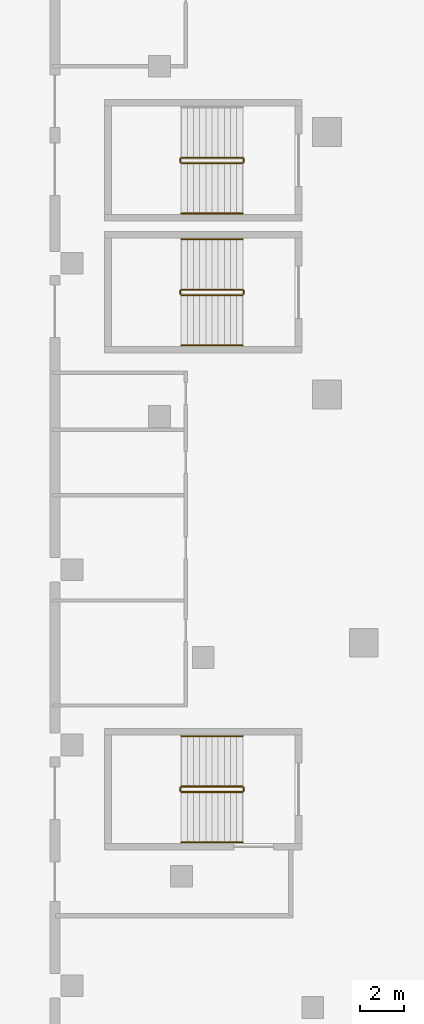
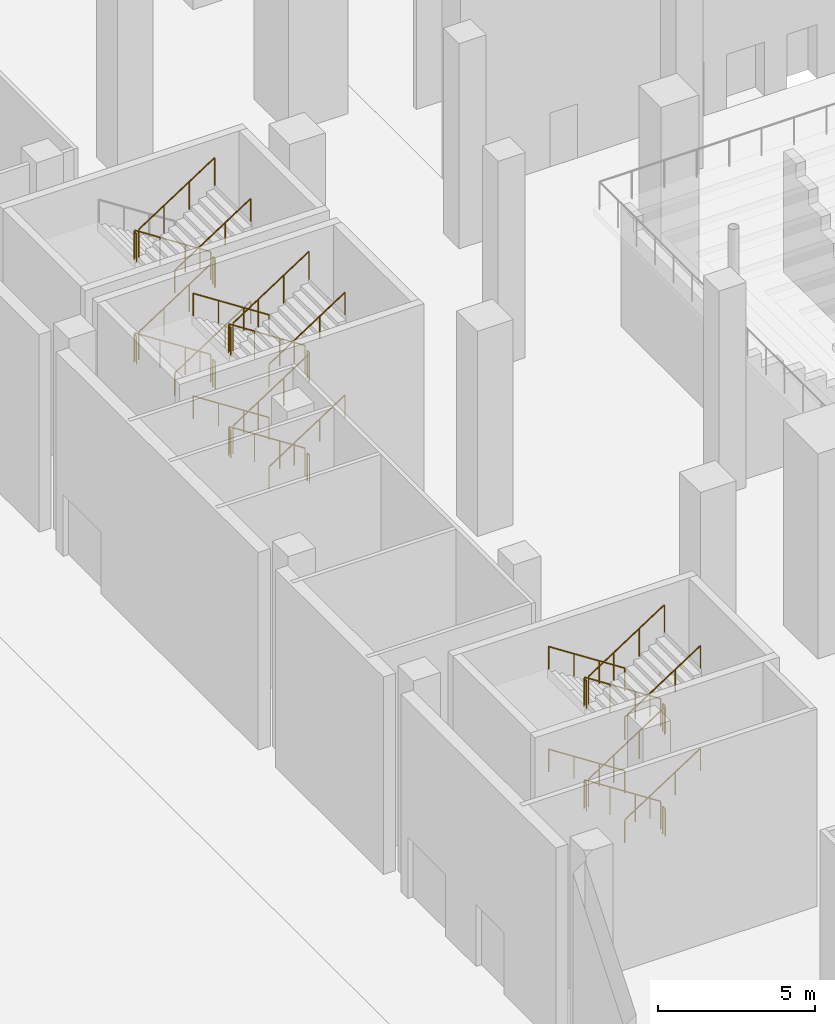
# One storey, part 34 of 41: 34 railings.
"""IFC4 building model written with IfcOpenShell, lengths in metres."""

from ifc_helpers import new_model, si_unit, direction, frame, origin, origin_2d, place, context, subcontext, project, spatial, circle, extrude, material, type_object, element, save


model = new_model("IFC4")

# Units and contexts
model_context = context("Model", 3, precision=1e-05, world=origin(), true_north=direction((0.0, 1.0)))
body_context = subcontext(model_context, "Body", "Model", "MODEL_VIEW")
ifc_project = project(units=[si_unit("LENGTHUNIT", "METRE"), si_unit("AREAUNIT", "SQUARE_METRE"), si_unit("VOLUMEUNIT", "CUBIC_METRE"), si_unit("PLANEANGLEUNIT", "RADIAN"), si_unit("MASSUNIT", "GRAM", prefix="KILO")], contexts=[model_context])

# Site, building, storey
site_placement = place(None, origin())
site = spatial("IfcSite", under=ifc_project, at=site_placement, CompositionType="ELEMENT")
building_placement = place(site_placement, origin())
building = spatial("IfcBuilding", under=site, at=building_placement, Name="Wharfspan Tower", CompositionType="ELEMENT")
storey_placement = place(building_placement, origin())
storey = spatial("IfcBuildingStorey", under=building, at=storey_placement, Name="L00", CompositionType="ELEMENT", Elevation=0.0)

# Railings
ifc_material = material(Name="Steel S355J2", Category="steel")
railing_type_1 = type_object("IfcRailingType", Name="Podium guard 1100", PredefinedType="GUARDRAIL", material=ifc_material)
railing_1_placement = place(storey_placement, frame((-3.199951, 0.100098, 0.181885)))
element("IfcRailing", 1, at=railing_1_placement, inside=storey, type_object=railing_type_1, Name="L00 AS7 stair guard 1", PredefinedType="GUARDRAIL", context=body_context, shape_type="SweptSolid", body=[
    extrude(circle(Radius=0.023926, at=origin_2d()), frame((0.0, 0.0, 1.076172), z_axis=(-0.838706, 0.0, 0.544585), x_axis=(0.0, -1.0, 0.0)), (0.0, 0.0, 1.0), 3.338623),
    extrude(circle(Radius=0.020996, at=origin_2d()), origin(), (0.0, 0.0, 1.0), 1.052002),
    extrude(circle(Radius=0.020996, at=origin_2d()), frame((-0.93335, 0.0, 0.605957)), (0.0, 0.0, 1.0), 1.052002),
    extrude(circle(Radius=0.020996, at=origin_2d()), frame((-1.866699, 0.0, 1.212158)), (0.0, 0.0, 1.0), 1.052002),
    extrude(circle(Radius=0.020996, at=origin_2d()), frame((-2.800049, 0.0, 1.818115)), (0.0, 0.0, 1.0), 1.052002),
])
railing_2_placement = place(storey_placement, frame((-6.050049, 0.050049, 2.0)))
element("IfcRailing", 2, at=railing_2_placement, inside=storey, type_object=railing_type_1, Name="L00 AS7 stair guard 2", PredefinedType="GUARDRAIL", context=body_context, shape_type="SweptSolid", body=[
    extrude(circle(Radius=0.023926, at=origin_2d()), frame((0.0, 0.0, 1.076172), z_axis=(0.0, -1.0, 0.0), x_axis=(1.0, 0.0, 0.0)), (0.0, 0.0, 1.0), 0.150146),
    extrude(circle(Radius=0.020996, at=origin_2d()), origin(), (0.0, 0.0, 1.0), 1.052002),
    extrude(circle(Radius=0.020996, at=origin_2d()), frame((0.0, -0.150146, 0.0)), (0.0, 0.0, 1.0), 1.052002),
])
railing_3_placement = place(storey_placement, frame((-6.0, -0.149902, 2.181885)))
element("IfcRailing", 3, at=railing_3_placement, inside=storey, type_object=railing_type_1, Name="L00 AS7 stair guard 3", PredefinedType="GUARDRAIL", context=body_context, shape_type="SweptSolid", body=[
    extrude(circle(Radius=0.023926, at=origin_2d()), frame((0.0, 0.0, 1.076172), z_axis=(0.838706, 0.0, 0.544585), x_axis=(0.0, 1.0, 0.0)), (0.0, 0.0, 1.0), 3.338623),
    extrude(circle(Radius=0.020996, at=origin_2d()), origin(), (0.0, 0.0, 1.0), 1.052002),
    extrude(circle(Radius=0.020996, at=origin_2d()), frame((0.93335, 0.0, 0.605957)), (0.0, 0.0, 1.0), 1.052002),
    extrude(circle(Radius=0.020996, at=origin_2d()), frame((1.866699, 0.0, 1.212158)), (0.0, 0.0, 1.0), 1.052002),
    extrude(circle(Radius=0.020996, at=origin_2d()), frame((2.800049, 0.0, 1.818115)), (0.0, 0.0, 1.0), 1.052002),
])
railing_4_placement = place(storey_placement, frame((-3.149902, 0.050049, 4.0)))
element("IfcRailing", 4, at=railing_4_placement, inside=storey, type_object=railing_type_1, Name="L00 AS7 stair guard 4", PredefinedType="GUARDRAIL", context=body_context, shape_type="SweptSolid", body=[
    extrude(circle(Radius=0.023926, at=origin_2d()), frame((0.0, 0.0, 1.076172), z_axis=(0.0, -1.0, 0.0), x_axis=(1.0, 0.0, 0.0)), (0.0, 0.0, 1.0), 0.150146),
    extrude(circle(Radius=0.020996, at=origin_2d()), origin(), (0.0, 0.0, 1.0), 1.052002),
    extrude(circle(Radius=0.020996, at=origin_2d()), frame((0.0, -0.150146, 0.0)), (0.0, 0.0, 1.0), 1.052002),
])
railing_5_placement = place(storey_placement, frame((-3.199951, 0.100098, 4.181885)))
element("IfcRailing", 5, at=railing_5_placement, inside=storey, type_object=railing_type_1, Name="L00 AS7 stair guard 5", PredefinedType="GUARDRAIL", context=body_context, shape_type="SweptSolid", body=[
    extrude(circle(Radius=0.023926, at=origin_2d()), frame((0.0, 0.0, 1.076172), z_axis=(-0.838706, 0.0, 0.544585), x_axis=(0.0, -1.0, 0.0)), (0.0, 0.0, 1.0), 3.338623),
    extrude(circle(Radius=0.020996, at=origin_2d()), origin(), (0.0, 0.0, 1.0), 1.052002),
    extrude(circle(Radius=0.020996, at=origin_2d()), frame((-0.93335, 0.0, 0.605957)), (0.0, 0.0, 1.0), 1.052002),
    extrude(circle(Radius=0.020996, at=origin_2d()), frame((-1.866699, 0.0, 1.212158)), (0.0, 0.0, 1.0), 1.052002),
    extrude(circle(Radius=0.020996, at=origin_2d()), frame((-2.800049, 0.0, 1.818115)), (0.0, 0.0, 1.0), 1.052002),
])
railing_6_placement = place(storey_placement, frame((-6.050049, 0.050049, 6.0)))
element("IfcRailing", 6, at=railing_6_placement, inside=storey, type_object=railing_type_1, Name="L00 AS7 stair guard 6", PredefinedType="GUARDRAIL", context=body_context, shape_type="SweptSolid", body=[
    extrude(circle(Radius=0.023926, at=origin_2d()), frame((0.0, 0.0, 1.076172), z_axis=(0.0, -1.0, 0.0), x_axis=(1.0, 0.0, 0.0)), (0.0, 0.0, 1.0), 0.150146),
    extrude(circle(Radius=0.020996, at=origin_2d()), origin(), (0.0, 0.0, 1.0), 1.052002),
    extrude(circle(Radius=0.020996, at=origin_2d()), frame((0.0, -0.150146, 0.0)), (0.0, 0.0, 1.0), 1.052002),
])
railing_7_placement = place(storey_placement, frame((-6.0, -0.149902, 6.181885)))
element("IfcRailing", 7, at=railing_7_placement, inside=storey, type_object=railing_type_1, Name="L00 AS7 stair guard 7", PredefinedType="GUARDRAIL", context=body_context, shape_type="SweptSolid", body=[
    extrude(circle(Radius=0.023926, at=origin_2d()), frame((0.0, 0.0, 1.076172), z_axis=(0.838706, 0.0, 0.544585), x_axis=(0.0, 1.0, 0.0)), (0.0, 0.0, 1.0), 3.338623),
    extrude(circle(Radius=0.020996, at=origin_2d()), origin(), (0.0, 0.0, 1.0), 1.052002),
    extrude(circle(Radius=0.020996, at=origin_2d()), frame((0.93335, 0.0, 0.605957)), (0.0, 0.0, 1.0), 1.052002),
    extrude(circle(Radius=0.020996, at=origin_2d()), frame((1.866699, 0.0, 1.212158)), (0.0, 0.0, 1.0), 1.052002),
    extrude(circle(Radius=0.020996, at=origin_2d()), frame((2.800049, 0.0, 1.818115)), (0.0, 0.0, 1.0), 1.052002),
])
railing_8_placement = place(storey_placement, frame((-3.149902, 0.050049, 0.0)))
element("IfcRailing", 8, at=railing_8_placement, inside=storey, type_object=railing_type_1, Name="L00 AS7 stair guard 8", PredefinedType="GUARDRAIL", context=body_context, shape_type="SweptSolid", body=[
    extrude(circle(Radius=0.023926, at=origin_2d()), frame((0.0, 0.0, 1.076172), z_axis=(0.0, -1.0, 0.0), x_axis=(1.0, 0.0, 0.0)), (0.0, 0.0, 1.0), 0.150146),
    extrude(circle(Radius=0.020996, at=origin_2d()), origin(), (0.0, 0.0, 1.0), 1.052002),
    extrude(circle(Radius=0.020996, at=origin_2d()), frame((0.0, -0.150146, 0.0)), (0.0, 0.0, 1.0), 1.052002),
])
railing_9_placement = place(storey_placement, frame((-3.199951, 22.800049, 0.181885)))
element("IfcRailing", 9, at=railing_9_placement, inside=storey, type_object=railing_type_1, Name="L00 AS3 stair guard 1", PredefinedType="GUARDRAIL", context=body_context, shape_type="SweptSolid", body=[
    extrude(circle(Radius=0.023926, at=origin_2d()), frame((0.0, 0.0, 1.076172), z_axis=(-0.838706, 0.0, 0.544585), x_axis=(0.0, -1.0, 0.0)), (0.0, 0.0, 1.0), 3.338623),
    extrude(circle(Radius=0.020996, at=origin_2d()), origin(), (0.0, 0.0, 1.0), 1.052002),
    extrude(circle(Radius=0.020996, at=origin_2d()), frame((-0.93335, 0.0, 0.605957)), (0.0, 0.0, 1.0), 1.052002),
    extrude(circle(Radius=0.020996, at=origin_2d()), frame((-1.866699, 0.0, 1.212158)), (0.0, 0.0, 1.0), 1.052002),
    extrude(circle(Radius=0.020996, at=origin_2d()), frame((-2.800049, 0.0, 1.818115)), (0.0, 0.0, 1.0), 1.052002),
])
railing_10_placement = place(storey_placement, frame((-6.050049, 22.75, 2.0)))
element("IfcRailing", 10, at=railing_10_placement, inside=storey, type_object=railing_type_1, Name="L00 AS3 stair guard 2", PredefinedType="GUARDRAIL", context=body_context, shape_type="SweptSolid", body=[
    extrude(circle(Radius=0.023926, at=origin_2d()), frame((0.0, 0.0, 1.076172), z_axis=(0.0, -1.0, 0.0), x_axis=(1.0, 0.0, 0.0)), (0.0, 0.0, 1.0), 0.149902),
    extrude(circle(Radius=0.020996, at=origin_2d()), origin(), (0.0, 0.0, 1.0), 1.052002),
    extrude(circle(Radius=0.020996, at=origin_2d()), frame((0.0, -0.149902, 0.0)), (0.0, 0.0, 1.0), 1.052002),
])
railing_11_placement = place(storey_placement, frame((-6.0, 22.550049, 2.181885)))
element("IfcRailing", 11, at=railing_11_placement, inside=storey, type_object=railing_type_1, Name="L00 AS3 stair guard 3", PredefinedType="GUARDRAIL", context=body_context, shape_type="SweptSolid", body=[
    extrude(circle(Radius=0.023926, at=origin_2d()), frame((0.0, 0.0, 1.076172), z_axis=(0.838706, 0.0, 0.544585), x_axis=(0.0, 1.0, 0.0)), (0.0, 0.0, 1.0), 3.338623),
    extrude(circle(Radius=0.020996, at=origin_2d()), origin(), (0.0, 0.0, 1.0), 1.052002),
    extrude(circle(Radius=0.020996, at=origin_2d()), frame((0.93335, 0.0, 0.605957)), (0.0, 0.0, 1.0), 1.052002),
    extrude(circle(Radius=0.020996, at=origin_2d()), frame((1.866699, 0.0, 1.212158)), (0.0, 0.0, 1.0), 1.052002),
    extrude(circle(Radius=0.020996, at=origin_2d()), frame((2.800049, 0.0, 1.818115)), (0.0, 0.0, 1.0), 1.052002),
])
railing_12_placement = place(storey_placement, frame((-3.149902, 22.75, 4.0)))
element("IfcRailing", 12, at=railing_12_placement, inside=storey, type_object=railing_type_1, Name="L00 AS3 stair guard 4", PredefinedType="GUARDRAIL", context=body_context, shape_type="SweptSolid", body=[
    extrude(circle(Radius=0.023926, at=origin_2d()), frame((0.0, 0.0, 1.076172), z_axis=(0.0, -1.0, 0.0), x_axis=(1.0, 0.0, 0.0)), (0.0, 0.0, 1.0), 0.149902),
    extrude(circle(Radius=0.020996, at=origin_2d()), origin(), (0.0, 0.0, 1.0), 1.052002),
    extrude(circle(Radius=0.020996, at=origin_2d()), frame((0.0, -0.149902, 0.0)), (0.0, 0.0, 1.0), 1.052002),
])
railing_13_placement = place(storey_placement, frame((-3.199951, 22.800049, 4.181885)))
element("IfcRailing", 13, at=railing_13_placement, inside=storey, type_object=railing_type_1, Name="L00 AS3 stair guard 5", PredefinedType="GUARDRAIL", context=body_context, shape_type="SweptSolid", body=[
    extrude(circle(Radius=0.023926, at=origin_2d()), frame((0.0, 0.0, 1.076172), z_axis=(-0.838706, 0.0, 0.544585), x_axis=(0.0, -1.0, 0.0)), (0.0, 0.0, 1.0), 3.338623),
    extrude(circle(Radius=0.020996, at=origin_2d()), origin(), (0.0, 0.0, 1.0), 1.052002),
    extrude(circle(Radius=0.020996, at=origin_2d()), frame((-0.93335, 0.0, 0.605957)), (0.0, 0.0, 1.0), 1.052002),
    extrude(circle(Radius=0.020996, at=origin_2d()), frame((-1.866699, 0.0, 1.212158)), (0.0, 0.0, 1.0), 1.052002),
    extrude(circle(Radius=0.020996, at=origin_2d()), frame((-2.800049, 0.0, 1.818115)), (0.0, 0.0, 1.0), 1.052002),
])
railing_14_placement = place(storey_placement, frame((-6.050049, 22.75, 6.0)))
element("IfcRailing", 14, at=railing_14_placement, inside=storey, type_object=railing_type_1, Name="L00 AS3 stair guard 6", PredefinedType="GUARDRAIL", context=body_context, shape_type="SweptSolid", body=[
    extrude(circle(Radius=0.023926, at=origin_2d()), frame((0.0, 0.0, 1.076172), z_axis=(0.0, -1.0, 0.0), x_axis=(1.0, 0.0, 0.0)), (0.0, 0.0, 1.0), 0.149902),
    extrude(circle(Radius=0.020996, at=origin_2d()), origin(), (0.0, 0.0, 1.0), 1.052002),
    extrude(circle(Radius=0.020996, at=origin_2d()), frame((0.0, -0.149902, 0.0)), (0.0, 0.0, 1.0), 1.052002),
])
railing_15_placement = place(storey_placement, frame((-6.0, 22.550049, 6.181885)))
element("IfcRailing", 15, at=railing_15_placement, inside=storey, type_object=railing_type_1, Name="L00 AS3 stair guard 7", PredefinedType="GUARDRAIL", context=body_context, shape_type="SweptSolid", body=[
    extrude(circle(Radius=0.023926, at=origin_2d()), frame((0.0, 0.0, 1.076172), z_axis=(0.838706, 0.0, 0.544585), x_axis=(0.0, 1.0, 0.0)), (0.0, 0.0, 1.0), 3.338623),
    extrude(circle(Radius=0.020996, at=origin_2d()), origin(), (0.0, 0.0, 1.0), 1.052002),
    extrude(circle(Radius=0.020996, at=origin_2d()), frame((0.93335, 0.0, 0.605957)), (0.0, 0.0, 1.0), 1.052002),
    extrude(circle(Radius=0.020996, at=origin_2d()), frame((1.866699, 0.0, 1.212158)), (0.0, 0.0, 1.0), 1.052002),
    extrude(circle(Radius=0.020996, at=origin_2d()), frame((2.800049, 0.0, 1.818115)), (0.0, 0.0, 1.0), 1.052002),
])
railing_16_placement = place(storey_placement, frame((-3.149902, 22.75, 0.0)))
element("IfcRailing", 16, at=railing_16_placement, inside=storey, type_object=railing_type_1, Name="L00 AS3 stair guard 8", PredefinedType="GUARDRAIL", context=body_context, shape_type="SweptSolid", body=[
    extrude(circle(Radius=0.023926, at=origin_2d()), frame((0.0, 0.0, 1.076172), z_axis=(0.0, -1.0, 0.0), x_axis=(1.0, 0.0, 0.0)), (0.0, 0.0, 1.0), 0.149902),
    extrude(circle(Radius=0.020996, at=origin_2d()), origin(), (0.0, 0.0, 1.0), 1.052002),
    extrude(circle(Radius=0.020996, at=origin_2d()), frame((0.0, -0.149902, 0.0)), (0.0, 0.0, 1.0), 1.052002),
])
railing_17_placement = place(storey_placement, frame((-3.199951, 28.824951, 0.181885)))
element("IfcRailing", 17, at=railing_17_placement, inside=storey, type_object=railing_type_1, Name="L00 PS3 stair guard 1", PredefinedType="GUARDRAIL", context=body_context, shape_type="SweptSolid", body=[
    extrude(circle(Radius=0.023926, at=origin_2d()), frame((0.0, 0.0, 1.076172), z_axis=(-0.838706, 0.0, 0.544585), x_axis=(0.0, -1.0, 0.0)), (0.0, 0.0, 1.0), 3.338623),
    extrude(circle(Radius=0.020996, at=origin_2d()), origin(), (0.0, 0.0, 1.0), 1.052002),
    extrude(circle(Radius=0.020996, at=origin_2d()), frame((-0.93335, 0.0, 0.605957)), (0.0, 0.0, 1.0), 1.052002),
    extrude(circle(Radius=0.020996, at=origin_2d()), frame((-1.866699, 0.0, 1.212158)), (0.0, 0.0, 1.0), 1.052002),
    extrude(circle(Radius=0.020996, at=origin_2d()), frame((-2.800049, 0.0, 1.818115)), (0.0, 0.0, 1.0), 1.052002),
])
railing_18_placement = place(storey_placement, frame((-6.050049, 28.774902, 2.0)))
element("IfcRailing", 18, at=railing_18_placement, inside=storey, type_object=railing_type_1, Name="L00 PS3 stair guard 2", PredefinedType="GUARDRAIL", context=body_context, shape_type="SweptSolid", body=[
    extrude(circle(Radius=0.023926, at=origin_2d()), frame((0.0, 0.0, 1.076172), z_axis=(0.0, -1.0, 0.0), x_axis=(1.0, 0.0, 0.0)), (0.0, 0.0, 1.0), 0.149902),
    extrude(circle(Radius=0.020996, at=origin_2d()), origin(), (0.0, 0.0, 1.0), 1.052002),
    extrude(circle(Radius=0.020996, at=origin_2d()), frame((0.0, -0.149902, 0.0)), (0.0, 0.0, 1.0), 1.052002),
])
railing_19_placement = place(storey_placement, frame((-6.0, 28.574951, 2.181885)))
element("IfcRailing", 19, at=railing_19_placement, inside=storey, type_object=railing_type_1, Name="L00 PS3 stair guard 3", PredefinedType="GUARDRAIL", context=body_context, shape_type="SweptSolid", body=[
    extrude(circle(Radius=0.023926, at=origin_2d()), frame((0.0, 0.0, 1.076172), z_axis=(0.838706, 0.0, 0.544585), x_axis=(0.0, 1.0, 0.0)), (0.0, 0.0, 1.0), 3.338623),
    extrude(circle(Radius=0.020996, at=origin_2d()), origin(), (0.0, 0.0, 1.0), 1.052002),
    extrude(circle(Radius=0.020996, at=origin_2d()), frame((0.93335, 0.0, 0.605957)), (0.0, 0.0, 1.0), 1.052002),
    extrude(circle(Radius=0.020996, at=origin_2d()), frame((1.866699, 0.0, 1.212158)), (0.0, 0.0, 1.0), 1.052002),
    extrude(circle(Radius=0.020996, at=origin_2d()), frame((2.800049, 0.0, 1.818115)), (0.0, 0.0, 1.0), 1.052002),
])
railing_20_placement = place(storey_placement, frame((-3.149902, 28.774902, 4.0)))
element("IfcRailing", 20, at=railing_20_placement, inside=storey, type_object=railing_type_1, Name="L00 PS3 stair guard 4", PredefinedType="GUARDRAIL", context=body_context, shape_type="SweptSolid", body=[
    extrude(circle(Radius=0.023926, at=origin_2d()), frame((0.0, 0.0, 1.076172), z_axis=(0.0, -1.0, 0.0), x_axis=(1.0, 0.0, 0.0)), (0.0, 0.0, 1.0), 0.149902),
    extrude(circle(Radius=0.020996, at=origin_2d()), origin(), (0.0, 0.0, 1.0), 1.052002),
    extrude(circle(Radius=0.020996, at=origin_2d()), frame((0.0, -0.149902, 0.0)), (0.0, 0.0, 1.0), 1.052002),
])
railing_21_placement = place(storey_placement, frame((-3.199951, 28.824951, 4.181885)))
element("IfcRailing", 21, at=railing_21_placement, inside=storey, type_object=railing_type_1, Name="L00 PS3 stair guard 5", PredefinedType="GUARDRAIL", context=body_context, shape_type="SweptSolid", body=[
    extrude(circle(Radius=0.023926, at=origin_2d()), frame((0.0, 0.0, 1.076172), z_axis=(-0.838706, 0.0, 0.544585), x_axis=(0.0, -1.0, 0.0)), (0.0, 0.0, 1.0), 3.338623),
    extrude(circle(Radius=0.020996, at=origin_2d()), origin(), (0.0, 0.0, 1.0), 1.052002),
    extrude(circle(Radius=0.020996, at=origin_2d()), frame((-0.93335, 0.0, 0.605957)), (0.0, 0.0, 1.0), 1.052002),
    extrude(circle(Radius=0.020996, at=origin_2d()), frame((-1.866699, 0.0, 1.212158)), (0.0, 0.0, 1.0), 1.052002),
    extrude(circle(Radius=0.020996, at=origin_2d()), frame((-2.800049, 0.0, 1.818115)), (0.0, 0.0, 1.0), 1.052002),
])
railing_22_placement = place(storey_placement, frame((-6.050049, 28.774902, 6.0)))
element("IfcRailing", 22, at=railing_22_placement, inside=storey, type_object=railing_type_1, Name="L00 PS3 stair guard 6", PredefinedType="GUARDRAIL", context=body_context, shape_type="SweptSolid", body=[
    extrude(circle(Radius=0.023926, at=origin_2d()), frame((0.0, 0.0, 1.076172), z_axis=(0.0, -1.0, 0.0), x_axis=(1.0, 0.0, 0.0)), (0.0, 0.0, 1.0), 0.149902),
    extrude(circle(Radius=0.020996, at=origin_2d()), origin(), (0.0, 0.0, 1.0), 1.052002),
    extrude(circle(Radius=0.020996, at=origin_2d()), frame((0.0, -0.149902, 0.0)), (0.0, 0.0, 1.0), 1.052002),
])
railing_23_placement = place(storey_placement, frame((-6.0, 28.574951, 6.181885)))
element("IfcRailing", 23, at=railing_23_placement, inside=storey, type_object=railing_type_1, Name="L00 PS3 stair guard 7", PredefinedType="GUARDRAIL", context=body_context, shape_type="SweptSolid", body=[
    extrude(circle(Radius=0.023926, at=origin_2d()), frame((0.0, 0.0, 1.076172), z_axis=(0.838706, 0.0, 0.544585), x_axis=(0.0, 1.0, 0.0)), (0.0, 0.0, 1.0), 3.338623),
    extrude(circle(Radius=0.020996, at=origin_2d()), origin(), (0.0, 0.0, 1.0), 1.052002),
    extrude(circle(Radius=0.020996, at=origin_2d()), frame((0.93335, 0.0, 0.605957)), (0.0, 0.0, 1.0), 1.052002),
    extrude(circle(Radius=0.020996, at=origin_2d()), frame((1.866699, 0.0, 1.212158)), (0.0, 0.0, 1.0), 1.052002),
    extrude(circle(Radius=0.020996, at=origin_2d()), frame((2.800049, 0.0, 1.818115)), (0.0, 0.0, 1.0), 1.052002),
])
railing_24_placement = place(storey_placement, frame((-3.149902, 28.774902, 0.0)))
element("IfcRailing", 24, at=railing_24_placement, inside=storey, type_object=railing_type_1, Name="L00 PS3 stair guard 8", PredefinedType="GUARDRAIL", context=body_context, shape_type="SweptSolid", body=[
    extrude(circle(Radius=0.023926, at=origin_2d()), frame((0.0, 0.0, 1.076172), z_axis=(0.0, -1.0, 0.0), x_axis=(1.0, 0.0, 0.0)), (0.0, 0.0, 1.0), 0.149902),
    extrude(circle(Radius=0.020996, at=origin_2d()), origin(), (0.0, 0.0, 1.0), 1.052002),
    extrude(circle(Radius=0.020996, at=origin_2d()), frame((0.0, -0.149902, 0.0)), (0.0, 0.0, 1.0), 1.052002),
])
railing_type_2 = type_object("IfcRailingType", Name="Podium stair handrail 900", PredefinedType="HANDRAIL", material=ifc_material)
railing_25_placement = place(storey_placement, frame((-3.199951, 2.399902, 0.181885)))
element("IfcRailing", 25, at=railing_25_placement, inside=storey, type_object=railing_type_2, Name="L00 AS7 stair handrail 1", PredefinedType="HANDRAIL", context=body_context, shape_type="SweptSolid", body=[
    extrude(circle(Radius=0.023926, at=origin_2d()), frame((0.0, 0.0, 0.875977), z_axis=(-0.838706, 0.0, 0.544585), x_axis=(0.0, -1.0, 0.0)), (0.0, 0.0, 1.0), 3.338623),
    extrude(circle(Radius=0.020996, at=origin_2d()), origin(), (0.0, 0.0, 1.0), 0.851807),
    extrude(circle(Radius=0.020996, at=origin_2d()), frame((-0.93335, 0.0, 0.605957)), (0.0, 0.0, 1.0), 0.851807),
    extrude(circle(Radius=0.020996, at=origin_2d()), frame((-1.866699, 0.0, 1.212158)), (0.0, 0.0, 1.0), 0.851807),
    extrude(circle(Radius=0.020996, at=origin_2d()), frame((-2.800049, 0.0, 1.818115)), (0.0, 0.0, 1.0), 0.851807),
])
railing_26_placement = place(storey_placement, frame((-6.0, -2.449951, 2.181885)))
element("IfcRailing", 26, at=railing_26_placement, inside=storey, type_object=railing_type_2, Name="L00 AS7 stair handrail 2", PredefinedType="HANDRAIL", context=body_context, shape_type="SweptSolid", body=[
    extrude(circle(Radius=0.023926, at=origin_2d()), frame((0.0, 0.0, 0.875977), z_axis=(0.838706, 0.0, 0.544585), x_axis=(0.0, 1.0, 0.0)), (0.0, 0.0, 1.0), 3.338623),
    extrude(circle(Radius=0.020996, at=origin_2d()), origin(), (0.0, 0.0, 1.0), 0.851807),
    extrude(circle(Radius=0.020996, at=origin_2d()), frame((0.93335, 0.0, 0.605957)), (0.0, 0.0, 1.0), 0.851807),
    extrude(circle(Radius=0.020996, at=origin_2d()), frame((1.866699, 0.0, 1.212158)), (0.0, 0.0, 1.0), 0.851807),
    extrude(circle(Radius=0.020996, at=origin_2d()), frame((2.800049, 0.0, 1.818115)), (0.0, 0.0, 1.0), 0.851807),
])
railing_27_placement = place(storey_placement, frame((-3.199951, 2.399902, 4.181885)))
element("IfcRailing", 27, at=railing_27_placement, inside=storey, type_object=railing_type_2, Name="L00 AS7 stair handrail 3", PredefinedType="HANDRAIL", context=body_context, shape_type="SweptSolid", body=[
    extrude(circle(Radius=0.023926, at=origin_2d()), frame((0.0, 0.0, 0.875977), z_axis=(-0.838706, 0.0, 0.544585), x_axis=(0.0, -1.0, 0.0)), (0.0, 0.0, 1.0), 3.338623),
    extrude(circle(Radius=0.020996, at=origin_2d()), origin(), (0.0, 0.0, 1.0), 0.851807),
    extrude(circle(Radius=0.020996, at=origin_2d()), frame((-0.93335, 0.0, 0.605957)), (0.0, 0.0, 1.0), 0.851807),
    extrude(circle(Radius=0.020996, at=origin_2d()), frame((-1.866699, 0.0, 1.212158)), (0.0, 0.0, 1.0), 0.851807),
    extrude(circle(Radius=0.020996, at=origin_2d()), frame((-2.800049, 0.0, 1.818115)), (0.0, 0.0, 1.0), 0.851807),
])
railing_28_placement = place(storey_placement, frame((-6.0, -2.449951, 6.181885)))
element("IfcRailing", 28, at=railing_28_placement, inside=storey, type_object=railing_type_2, Name="L00 AS7 stair handrail 4", PredefinedType="HANDRAIL", context=body_context, shape_type="SweptSolid", body=[
    extrude(circle(Radius=0.023926, at=origin_2d()), frame((0.0, 0.0, 0.875977), z_axis=(0.838706, 0.0, 0.544585), x_axis=(0.0, 1.0, 0.0)), (0.0, 0.0, 1.0), 3.338623),
    extrude(circle(Radius=0.020996, at=origin_2d()), origin(), (0.0, 0.0, 1.0), 0.851807),
    extrude(circle(Radius=0.020996, at=origin_2d()), frame((0.93335, 0.0, 0.605957)), (0.0, 0.0, 1.0), 0.851807),
    extrude(circle(Radius=0.020996, at=origin_2d()), frame((1.866699, 0.0, 1.212158)), (0.0, 0.0, 1.0), 0.851807),
    extrude(circle(Radius=0.020996, at=origin_2d()), frame((2.800049, 0.0, 1.818115)), (0.0, 0.0, 1.0), 0.851807),
])
railing_29_placement = place(storey_placement, frame((-3.199951, 25.100098, 0.181885)))
element("IfcRailing", 29, at=railing_29_placement, inside=storey, type_object=railing_type_2, Name="L00 AS3 stair handrail 1", PredefinedType="HANDRAIL", context=body_context, shape_type="SweptSolid", body=[
    extrude(circle(Radius=0.023926, at=origin_2d()), frame((0.0, 0.0, 0.875977), z_axis=(-0.838706, 0.0, 0.544585), x_axis=(0.0, -1.0, 0.0)), (0.0, 0.0, 1.0), 3.338623),
    extrude(circle(Radius=0.020996, at=origin_2d()), origin(), (0.0, 0.0, 1.0), 0.851807),
    extrude(circle(Radius=0.020996, at=origin_2d()), frame((-0.93335, 0.0, 0.605957)), (0.0, 0.0, 1.0), 0.851807),
    extrude(circle(Radius=0.020996, at=origin_2d()), frame((-1.866699, 0.0, 1.212158)), (0.0, 0.0, 1.0), 0.851807),
    extrude(circle(Radius=0.020996, at=origin_2d()), frame((-2.800049, 0.0, 1.818115)), (0.0, 0.0, 1.0), 0.851807),
])
railing_30_placement = place(storey_placement, frame((-6.0, 20.25, 2.181885)))
element("IfcRailing", 30, at=railing_30_placement, inside=storey, type_object=railing_type_2, Name="L00 AS3 stair handrail 2", PredefinedType="HANDRAIL", context=body_context, shape_type="SweptSolid", body=[
    extrude(circle(Radius=0.023926, at=origin_2d()), frame((0.0, 0.0, 0.875977), z_axis=(0.838706, 0.0, 0.544585), x_axis=(0.0, 1.0, 0.0)), (0.0, 0.0, 1.0), 3.338623),
    extrude(circle(Radius=0.020996, at=origin_2d()), origin(), (0.0, 0.0, 1.0), 0.851807),
    extrude(circle(Radius=0.020996, at=origin_2d()), frame((0.93335, 0.0, 0.605957)), (0.0, 0.0, 1.0), 0.851807),
    extrude(circle(Radius=0.020996, at=origin_2d()), frame((1.866699, 0.0, 1.212158)), (0.0, 0.0, 1.0), 0.851807),
    extrude(circle(Radius=0.020996, at=origin_2d()), frame((2.800049, 0.0, 1.818115)), (0.0, 0.0, 1.0), 0.851807),
])
railing_31_placement = place(storey_placement, frame((-3.199951, 25.100098, 4.181885)))
element("IfcRailing", 31, at=railing_31_placement, inside=storey, type_object=railing_type_2, Name="L00 AS3 stair handrail 3", PredefinedType="HANDRAIL", context=body_context, shape_type="SweptSolid", body=[
    extrude(circle(Radius=0.023926, at=origin_2d()), frame((0.0, 0.0, 0.875977), z_axis=(-0.838706, 0.0, 0.544585), x_axis=(0.0, -1.0, 0.0)), (0.0, 0.0, 1.0), 3.338623),
    extrude(circle(Radius=0.020996, at=origin_2d()), origin(), (0.0, 0.0, 1.0), 0.851807),
    extrude(circle(Radius=0.020996, at=origin_2d()), frame((-0.93335, 0.0, 0.605957)), (0.0, 0.0, 1.0), 0.851807),
    extrude(circle(Radius=0.020996, at=origin_2d()), frame((-1.866699, 0.0, 1.212158)), (0.0, 0.0, 1.0), 0.851807),
    extrude(circle(Radius=0.020996, at=origin_2d()), frame((-2.800049, 0.0, 1.818115)), (0.0, 0.0, 1.0), 0.851807),
])
for number, where, name in (
    (32, (-6.0, 20.25, 6.181885), "L00 AS3 stair handrail 4"),
    (33, (-6.0, 26.274902, 2.181885), "L00 PS3 stair handrail 2"),
    (34, (-6.0, 26.274902, 6.181885), "L00 PS3 stair handrail 4"),
):
    element("IfcRailing", number, at=place(storey_placement, frame(where)), inside=storey, type_object=railing_type_2, Name=name, PredefinedType="HANDRAIL", context=body_context, shape_type="SweptSolid", body=[
        extrude(circle(Radius=0.023926, at=origin_2d()), frame((0.0, 0.0, 0.875977), z_axis=(0.838706, 0.0, 0.544585), x_axis=(0.0, 1.0, 0.0)), (0.0, 0.0, 1.0), 3.338623),
        extrude(circle(Radius=0.020996, at=origin_2d()), origin(), (0.0, 0.0, 1.0), 0.851807),
        extrude(circle(Radius=0.020996, at=origin_2d()), frame((0.93335, 0.0, 0.605957)), (0.0, 0.0, 1.0), 0.851807),
        extrude(circle(Radius=0.020996, at=origin_2d()), frame((1.866699, 0.0, 1.212158)), (0.0, 0.0, 1.0), 0.851807),
        extrude(circle(Radius=0.020996, at=origin_2d()), frame((2.800049, 0.0, 1.818115)), (0.0, 0.0, 1.0), 0.851807),
    ])

save(model, "model.ifc")
